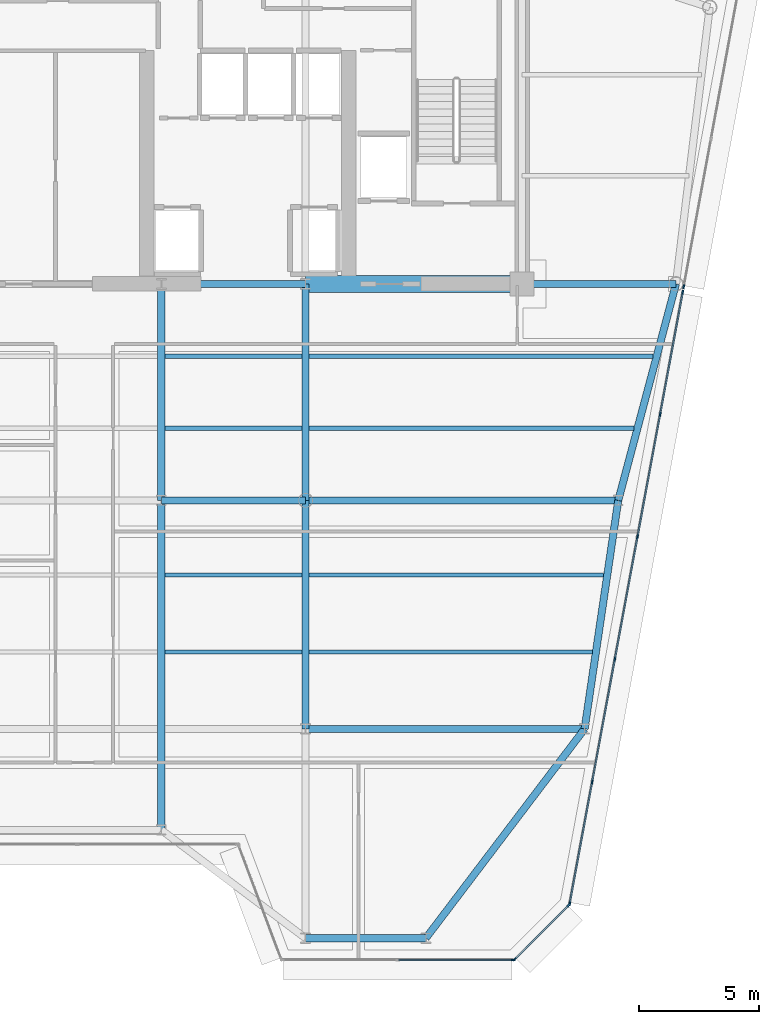
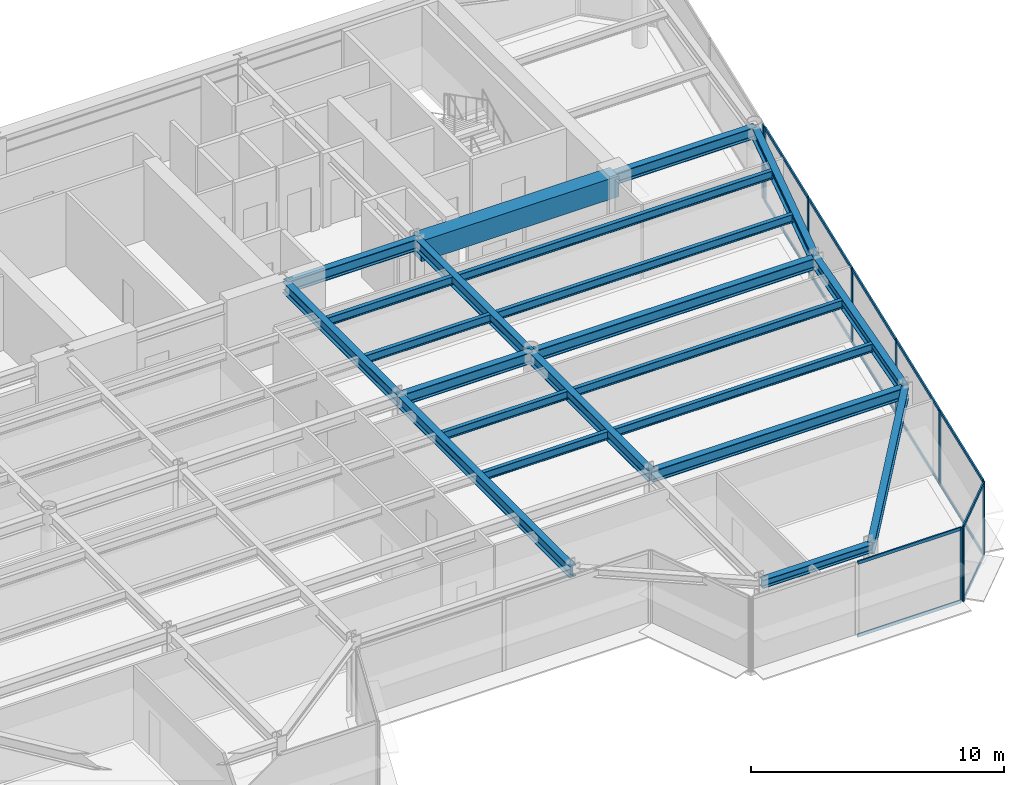
# One storey, part 6 of 17: 24 members, 22 beams, 4 elements without a shape of their own.
"""IFC4 building model written with IfcOpenShell, lengths in metres."""

from ifc_helpers import new_model, si_unit, direction, frame, origin, origin_2d, place, context, subcontext, project, spatial, rectangle, i_section, extrude, source, transform, mapped, material, layer, layer_set, material_profile, profile_set, type_object, element, aggregate, save


model = new_model("IFC4")

# Units and contexts
model_context = context("Model", 3, precision=1e-05, world=origin(), true_north=direction((0.0, 1.0)))
body_context = subcontext(model_context, "Body", "Model", "MODEL_VIEW")
ifc_project = project(units=[si_unit("LENGTHUNIT", "METRE"), si_unit("AREAUNIT", "SQUARE_METRE"), si_unit("VOLUMEUNIT", "CUBIC_METRE"), si_unit("PLANEANGLEUNIT", "RADIAN"), si_unit("MASSUNIT", "GRAM", prefix="KILO")], contexts=[model_context])

# Site, building, storey
site_placement = place(None, origin())
site = spatial("IfcSite", under=ifc_project, at=site_placement, CompositionType="ELEMENT")
building_placement = place(site_placement, origin())
building = spatial("IfcBuilding", under=site, at=building_placement, Name="Vaeldorn Concourse Tower", CompositionType="ELEMENT")
storey_placement = place(building_placement, frame((0.0, 0.0, 230.800048828125)))
storey = spatial("IfcBuildingStorey", under=building, at=storey_placement, Name="L59", CompositionType="ELEMENT", Elevation=230.800048828125)

# Beams
ifc_material_1 = material(Name="Concrete C50/60", Category="concrete")
ifc_material_profile_1 = material_profile(ifc_material_1, rectangle(XDim=0.699951171875, YDim=1.0, at=origin_2d()), Name="RC 700x1000")
ifc_profile_set_1 = profile_set([ifc_material_profile_1], Name="Concrete C50/60")
beam_type_1 = type_object("IfcBeamType", Name="BM-CB-RC700", PredefinedType="BEAM", material=ifc_profile_set_1)
shared_shape_1 = source(origin(), body_context, "Body", "SweptSolid", [
    extrude(rectangle(XDim=0.699951171875, YDim=1.0, at=origin_2d()), origin(), (0.0, 0.0, 1.0), 9.0),
])
beam_1_placement = place(storey_placement, frame((45.0, 36.5, 3.079833984375), z_axis=(1.0, 0.0, 0.0), x_axis=(0.0, 1.0, 0.0)))
element("IfcBeam", 1, at=beam_1_placement, inside=storey, type_object=beam_type_1, Name="Core Coupling Beam L59-2", PredefinedType="BEAM", context=body_context, shape_type="MappedRepresentation", body=[
    mapped(shared_shape_1, transform((0.0, 0.0, 0.0), scale=1.0)),
])
ifc_material_2 = material(Name="Steel S355", Category="steel")
ifc_material_profile_2 = material_profile(ifc_material_2, i_section(OverallWidth=0.300048828125, OverallDepth=0.39990234375, WebThickness=0.013427734375, FlangeThickness=0.02392578125, FilletRadius=0.027099609375, at=origin_2d()), Name="HEB 400")
ifc_profile_set_2 = profile_set([ifc_material_profile_2], Name="Steel S355")
beam_type_2 = type_object("IfcBeamType", Name="BM-SP-HEB400", PredefinedType="SPANDREL", material=ifc_profile_set_2)
shared_shape_2 = source(origin(), body_context, "Body", "SweptSolid", [
    extrude(i_section(OverallWidth=0.300048828125, OverallDepth=0.39990234375, WebThickness=0.013427734375, FlangeThickness=0.02392578125, FilletRadius=0.027099609375, at=origin_2d()), origin(), (0.0, 0.0, 1.0), 5.0),
])
beam_2_placement = place(storey_placement, frame((45.0, 9.300048828125, 3.3798828125), z_axis=(1.0, 0.0, 0.0), x_axis=(0.0, 1.0, 0.0)))
element("IfcBeam", 2, at=beam_2_placement, inside=storey, type_object=beam_type_2, Name="Beam BM-L59-C-SF5-C-SF6", PredefinedType="SPANDREL", context=body_context, shape_type="MappedRepresentation", body=[
    mapped(shared_shape_2, transform((0.0, 0.0, 0.0), scale=1.0)),
])
ifc_material_profile_3 = material_profile(ifc_material_2, i_section(OverallWidth=0.179931640625, OverallDepth=0.39990234375, WebThickness=0.008544921875, FlangeThickness=0.013427734375, FilletRadius=0.02099609375, at=origin_2d()), Name="IPE 400")
ifc_profile_set_3 = profile_set([ifc_material_profile_3], Name="Steel S355")
beam_type_3 = type_object("IfcBeamType", Name="BM-JS-IPE400", PredefinedType="JOIST", material=ifc_profile_set_3)
shared_shape_3 = source(origin(), body_context, "Body", "SweptSolid", [
    extrude(i_section(OverallWidth=0.179931640625, OverallDepth=0.39990234375, WebThickness=0.008544921875, FlangeThickness=0.013427734375, FilletRadius=0.02099609375, at=origin_2d()), origin(), (0.0, 0.0, 1.0), 5.7001953125),
])
for number, where, z_axis, x_axis, name in (
    (3, (39.14990234375, 21.199951171875, 3.3798828125), (1.0, 0.0, 0.0), (0.0, 1.0, 0.0), "Beam JS-L59-E2-212"),
    (4, (39.14990234375, 24.39990234375, 3.3798828125), (1.0, 0.0, 0.0), (0.0, 1.0, 0.0), "Beam JS-L59-E2-244"),
    (5, (39.14990234375, 30.5, 3.3798828125), (1.0, 0.0, 0.0), (0.0, 1.0, 0.0), "Beam JS-L59-E2-305"),
    (6, (39.14990234375, 33.5, 3.3798828125), (1.0, 0.0, 0.0), (0.0, 1.0, 0.0), "Beam JS-L59-E2-335"),
):
    element("IfcBeam", number, at=place(storey_placement, frame(where, z_axis=z_axis, x_axis=x_axis)), inside=storey, type_object=beam_type_3, Name=name, PredefinedType="JOIST", context=body_context, shape_type="MappedRepresentation", body=[
        mapped(shared_shape_3, transform((0.0, 0.0, 0.0), scale=1.0)),
    ])
shared_shape_4 = source(origin(), body_context, "Body", "SweptSolid", [
    extrude(i_section(OverallWidth=0.179931640625, OverallDepth=0.39990234375, WebThickness=0.008544921875, FlangeThickness=0.013427734375, FilletRadius=0.02099609375, at=origin_2d()), origin(), (0.0, 0.0, 1.0), 11.771728515625),
])
beam_3_placement = place(storey_placement, frame((45.14990234375, 21.199951171875, 3.3798828125), z_axis=(1.0, 0.0, 0.0), x_axis=(0.0, 1.0, 0.0)))
element("IfcBeam", 7, at=beam_3_placement, inside=storey, type_object=beam_type_3, Name="Beam JS-L59-E1-212", PredefinedType="JOIST", context=body_context, shape_type="MappedRepresentation", body=[
    mapped(shared_shape_4, transform((0.0, 0.0, 0.0), scale=1.0)),
])
shared_shape_5 = source(origin(), body_context, "Body", "SweptSolid", [
    extrude(i_section(OverallWidth=0.179931640625, OverallDepth=0.39990234375, WebThickness=0.008544921875, FlangeThickness=0.013427734375, FilletRadius=0.02099609375, at=origin_2d()), origin(), (0.0, 0.0, 1.0), 12.243408203125),
])
beam_4_placement = place(storey_placement, frame((45.14990234375, 24.39990234375, 3.3798828125), z_axis=(1.0, 0.0, 0.0), x_axis=(0.0, 1.0, 0.0)))
element("IfcBeam", 8, at=beam_4_placement, inside=storey, type_object=beam_type_3, Name="Beam JS-L59-E1-244", PredefinedType="JOIST", context=body_context, shape_type="MappedRepresentation", body=[
    mapped(shared_shape_5, transform((0.0, 0.0, 0.0), scale=1.0)),
])
shared_shape_6 = source(origin(), body_context, "Body", "SweptSolid", [
    extrude(i_section(OverallWidth=0.179931640625, OverallDepth=0.39990234375, WebThickness=0.008544921875, FlangeThickness=0.013427734375, FilletRadius=0.02099609375, at=origin_2d()), origin(), (0.0, 0.0, 1.0), 13.5),
])
beam_5_placement = place(storey_placement, frame((45.14990234375, 30.5, 3.3798828125), z_axis=(1.0, 0.0, 0.0), x_axis=(0.0, 1.0, 0.0)))
element("IfcBeam", 9, at=beam_5_placement, inside=storey, type_object=beam_type_3, Name="Beam JS-L59-E1-305", PredefinedType="JOIST", context=body_context, shape_type="MappedRepresentation", body=[
    mapped(shared_shape_6, transform((0.0, 0.0, 0.0), scale=1.0)),
])
shared_shape_7 = source(origin(), body_context, "Body", "SweptSolid", [
    extrude(i_section(OverallWidth=0.179931640625, OverallDepth=0.39990234375, WebThickness=0.008544921875, FlangeThickness=0.013427734375, FilletRadius=0.02099609375, at=origin_2d()), origin(), (0.0, 0.0, 1.0), 14.300048828125),
])
beam_6_placement = place(storey_placement, frame((45.14990234375, 33.5, 3.3798828125), z_axis=(1.0, 0.0, 0.0), x_axis=(0.0, 1.0, 0.0)))
element("IfcBeam", 10, at=beam_6_placement, inside=storey, type_object=beam_type_3, Name="Beam JS-L59-E1-335", PredefinedType="JOIST", context=body_context, shape_type="MappedRepresentation", body=[
    mapped(shared_shape_7, transform((0.0, 0.0, 0.0), scale=1.0)),
])
ifc_material_profile_4 = material_profile(ifc_material_2, i_section(OverallWidth=0.300048828125, OverallDepth=0.550048828125, WebThickness=0.014892578125, FlangeThickness=0.029052734375, FilletRadius=0.027099609375, at=origin_2d()), Name="HEB 550")
ifc_profile_set_4 = profile_set([ifc_material_profile_4], Name="Steel S355")
beam_type_4 = type_object("IfcBeamType", Name="BM-PG-HEB550", PredefinedType="BEAM", material=ifc_profile_set_4)
shared_shape_8 = source(origin(), body_context, "Body", "SweptSolid", [
    extrude(i_section(OverallWidth=0.300048828125, OverallDepth=0.550048828125, WebThickness=0.014892578125, FlangeThickness=0.029052734375, FilletRadius=0.027099609375, at=origin_2d()), origin(), (0.0, 0.0, 1.0), 6.0),
])
for number, where, z_axis, x_axis, name in (
    (11, (39.0, 36.5, 3.304931640625), (1.0, 0.0, 0.0), (0.0, 1.0, 0.0), "Beam BM-L59-C-FC4-C-FC5"),
    (12, (39.0, 27.5, 3.304931640625), (1.0, 0.0, 0.0), (0.0, 1.0, 0.0), "Beam BM-L59-C-TW3-C-TW4"),
):
    element("IfcBeam", number, at=place(storey_placement, frame(where, z_axis=z_axis, x_axis=x_axis)), inside=storey, type_object=beam_type_4, Name=name, PredefinedType="BEAM", context=body_context, shape_type="MappedRepresentation", body=[
        mapped(shared_shape_8, transform((0.0, 0.0, 0.0), scale=1.0)),
    ])
shared_shape_9 = source(origin(), body_context, "Body", "SweptSolid", [
    extrude(i_section(OverallWidth=0.300048828125, OverallDepth=0.550048828125, WebThickness=0.014892578125, FlangeThickness=0.029052734375, FilletRadius=0.027099609375, at=origin_2d()), origin(), (0.0, 0.0, 1.0), 9.0),
])
for number, where, z_axis, x_axis, name in (
    (13, (39.0, 27.5, 3.304931640625), (0.0, 1.0, 0.0), (-1.0, 0.0, 0.0), "Beam BM-L59-C-TW3-C-FC4"),
    (14, (45.0, 27.5, 3.304931640625), (0.0, 1.0, 0.0), (-1.0, 0.0, 0.0), "Beam BM-L59-C-TW4-C-FC5"),
):
    element("IfcBeam", number, at=place(storey_placement, frame(where, z_axis=z_axis, x_axis=x_axis)), inside=storey, type_object=beam_type_4, Name=name, PredefinedType="BEAM", context=body_context, shape_type="MappedRepresentation", body=[
        mapped(shared_shape_9, transform((0.0, 0.0, 0.0), scale=1.0)),
    ])
shared_shape_10 = source(origin(), body_context, "Body", "SweptSolid", [
    extrude(i_section(OverallWidth=0.300048828125, OverallDepth=0.550048828125, WebThickness=0.014892578125, FlangeThickness=0.029052734375, FilletRadius=0.027099609375, at=origin_2d()), origin(), (0.0, 0.0, 1.0), 6.39990234375),
])
beam_7_placement = place(storey_placement, frame((54.0, 36.5, 3.304931640625), z_axis=(1.0, 0.0, 0.0), x_axis=(0.0, 1.0, 0.0)))
element("IfcBeam", 15, at=beam_7_placement, inside=storey, type_object=beam_type_4, Name="Beam BM-L59-C-FC6-C-NE2", PredefinedType="BEAM", context=body_context, shape_type="MappedRepresentation", body=[
    mapped(shared_shape_10, transform((0.0, 0.0, 0.0), scale=1.0)),
])
shared_shape_11 = source(origin(), body_context, "Body", "SweptSolid", [
    extrude(i_section(OverallWidth=0.300048828125, OverallDepth=0.550048828125, WebThickness=0.014892578125, FlangeThickness=0.029052734375, FilletRadius=0.027099609375, at=origin_2d()), origin(), (0.0, 0.0, 1.0), 9.314453125),
])
beam_8_placement = place(storey_placement, frame((60.39990234375, 36.5, 3.304931640625), z_axis=(-0.257652862255, -0.966237549763, 0.0), x_axis=(0.966237549763, -0.257652862255, 0.0)))
element("IfcBeam", 16, at=beam_8_placement, inside=storey, type_object=beam_type_4, Name="Beam BM-L59-C-NE2-C-FLE1", PredefinedType="BEAM", context=body_context, shape_type="MappedRepresentation", body=[
    mapped(shared_shape_11, transform((0.0, 0.0, 0.0), scale=1.0)),
])
shared_shape_12 = source(origin(), body_context, "Body", "SweptSolid", [
    extrude(i_section(OverallWidth=0.300048828125, OverallDepth=0.550048828125, WebThickness=0.014892578125, FlangeThickness=0.029052734375, FilletRadius=0.027099609375, at=origin_2d()), origin(), (0.0, 0.0, 1.0), 13.0),
])
beam_9_placement = place(storey_placement, frame((45.0, 27.5, 3.304931640625), z_axis=(1.0, 0.0, 0.0), x_axis=(0.0, 1.0, 0.0)))
element("IfcBeam", 17, at=beam_9_placement, inside=storey, type_object=beam_type_4, Name="Beam BM-L59-C-TW4-C-FLE1", PredefinedType="BEAM", context=body_context, shape_type="MappedRepresentation", body=[
    mapped(shared_shape_12, transform((0.0, 0.0, 0.0), scale=1.0)),
])
shared_shape_13 = source(origin(), body_context, "Body", "SweptSolid", [
    extrude(i_section(OverallWidth=0.300048828125, OverallDepth=0.550048828125, WebThickness=0.014892578125, FlangeThickness=0.029052734375, FilletRadius=0.027099609375, at=origin_2d()), origin(), (0.0, 0.0, 1.0), 9.6025390625),
])
beam_10_placement = place(storey_placement, frame((58.0, 27.5, 3.304931640625), z_axis=(-0.145783835977, -0.989316467652, 0.0), x_axis=(0.989316467652, -0.145783835977, 0.0)))
element("IfcBeam", 18, at=beam_10_placement, inside=storey, type_object=beam_type_4, Name="Beam BM-L59-C-FLE1-C-FLE2", PredefinedType="BEAM", context=body_context, shape_type="MappedRepresentation", body=[
    mapped(shared_shape_13, transform((0.0, 0.0, 0.0), scale=1.0)),
])
shared_shape_14 = source(origin(), body_context, "Body", "SweptSolid", [
    extrude(i_section(OverallWidth=0.300048828125, OverallDepth=0.550048828125, WebThickness=0.014892578125, FlangeThickness=0.029052734375, FilletRadius=0.027099609375, at=origin_2d()), origin(), (0.0, 0.0, 1.0), 11.60009765625),
])
beam_11_placement = place(storey_placement, frame((45.0, 18.0, 3.304931640625), z_axis=(1.0, 0.0, 0.0), x_axis=(0.0, 1.0, 0.0)))
element("IfcBeam", 19, at=beam_11_placement, inside=storey, type_object=beam_type_4, Name="Beam BM-L59-C-TW6-C-FLE2", PredefinedType="BEAM", context=body_context, shape_type="MappedRepresentation", body=[
    mapped(shared_shape_14, transform((0.0, 0.0, 0.0), scale=1.0)),
])
shared_shape_15 = source(origin(), body_context, "Body", "SweptSolid", [
    extrude(i_section(OverallWidth=0.300048828125, OverallDepth=0.550048828125, WebThickness=0.014892578125, FlangeThickness=0.029052734375, FilletRadius=0.027099609375, at=origin_2d()), origin(), (0.0, 0.0, 1.0), 9.5),
])
beam_12_placement = place(storey_placement, frame((45.0, 18.0, 3.304931640625), z_axis=(0.0, 1.0, 0.0), x_axis=(-1.0, 0.0, 0.0)))
element("IfcBeam", 20, at=beam_12_placement, inside=storey, type_object=beam_type_4, Name="Beam BM-L59-C-TW6-C-TW4", PredefinedType="BEAM", context=body_context, shape_type="MappedRepresentation", body=[
    mapped(shared_shape_15, transform((0.0, 0.0, 0.0), scale=1.0)),
])
shared_shape_16 = source(origin(), body_context, "Body", "SweptSolid", [
    extrude(i_section(OverallWidth=0.300048828125, OverallDepth=0.550048828125, WebThickness=0.014892578125, FlangeThickness=0.029052734375, FilletRadius=0.027099609375, at=origin_2d()), origin(), (0.0, 0.0, 1.0), 10.920166015625),
])
beam_13_placement = place(storey_placement, frame((50.0, 9.300048828125, 3.304931640625), z_axis=(0.604394310451, 0.796685331542, 0.0), x_axis=(-0.796685331542, 0.604394310451, 0.0)))
element("IfcBeam", 21, at=beam_13_placement, inside=storey, type_object=beam_type_4, Name="Beam BM-L59-C-SF6-C-FLE2", PredefinedType="BEAM", context=body_context, shape_type="MappedRepresentation", body=[
    mapped(shared_shape_16, transform((0.0, 0.0, 0.0), scale=1.0)),
])
shared_shape_17 = source(origin(), body_context, "Body", "SweptSolid", [
    extrude(i_section(OverallWidth=0.300048828125, OverallDepth=0.550048828125, WebThickness=0.014892578125, FlangeThickness=0.029052734375, FilletRadius=0.027099609375, at=origin_2d()), origin(), (0.0, 0.0, 1.0), 13.699951171875),
])
beam_14_placement = place(storey_placement, frame((39.0, 13.800048828125, 3.304931640625), z_axis=(0.0, 1.0, 0.0), x_axis=(-1.0, 0.0, 0.0)))
element("IfcBeam", 22, at=beam_14_placement, inside=storey, type_object=beam_type_4, Name="Beam BM-L59-C-SF4-C-TW3", PredefinedType="BEAM", context=body_context, shape_type="MappedRepresentation", body=[
    mapped(shared_shape_17, transform((0.0, 0.0, 0.0), scale=1.0)),
])

# Curtain wall, member
ifc_material_3 = material(Name="Anodised Bronze Aluminium", Category="aluminium")
ifc_layer = layer(ifc_material_3, 0.179931640625)
ifc_layer_set = layer_set([ifc_layer], Name="Anodised Bronze Aluminium")
curtain_wall_type = type_object("IfcCurtainWallType", Name="CW-SYS-05", PredefinedType="NOTDEFINED", material=ifc_layer_set)
curtain_wall_1_placement = place(storey_placement, origin())
curtain_wall_1 = element("IfcCurtainWall", 23, at=curtain_wall_1_placement, inside=storey, type_object=curtain_wall_type, Name="Unitised Curtain Wall CW-L59-E05-1", PredefinedType="NOTDEFINED")
ifc_material_profile_5 = material_profile(ifc_material_3, rectangle(XDim=0.06494140625, YDim=0.169921875, at=origin_2d()), Name="CWM 65x170")
ifc_profile_set_5 = profile_set([ifc_material_profile_5], Name="Anodised Bronze Aluminium")
member_type_1 = type_object("IfcMemberType", Name="CWM-BRONZE-170", PredefinedType="MULLION", material=ifc_profile_set_5)
shared_shape_18 = source(origin(), body_context, "Body", "SweptSolid", [
    extrude(rectangle(XDim=0.06494140625, YDim=0.169921875, at=origin_2d()), origin(), (0.0, 0.0, 1.0), 3.579833984375),
])
member_1_placement = place(storey_placement, frame((53.638427734375, 8.39990234375, 0.0), z_axis=(0.0, 0.0, 1.0), x_axis=(0.0, 1.0, 0.0)))
member_1 = element("IfcMember", 24, at=member_1_placement, type_object=member_type_1, Name="CW-05 mullion 3", PredefinedType="MULLION", context=body_context, shape_type="MappedRepresentation", body=[
    mapped(shared_shape_18, transform((0.0, 0.0, 0.0), scale=1.0)),
])

# Curtain wall, members
curtain_wall_2_placement = place(storey_placement, origin())
curtain_wall_2 = element("IfcCurtainWall", 25, at=curtain_wall_2_placement, inside=storey, type_object=curtain_wall_type, Name="Unitised Curtain Wall CW-L59-E06-1", PredefinedType="NOTDEFINED")
member_2_placement = place(storey_placement, frame((53.694091796875, 8.423095703125, 0.0), z_axis=(0.0, 0.0, 1.0), x_axis=(-0.707106781187, 0.707106781187, 0.0)))
member_2 = element("IfcMember", 26, at=member_2_placement, type_object=member_type_1, Name="CW-05 mullion 1", PredefinedType="MULLION", context=body_context, shape_type="MappedRepresentation", body=[
    mapped(shared_shape_18, transform((0.0, 0.0, 0.0), scale=1.0)),
])
member_3_placement = place(storey_placement, frame((55.947998046875, 10.677001953125, 0.0), z_axis=(0.0, 0.0, 1.0), x_axis=(-0.707106781187, 0.707106781187, 0.0)))
member_3 = element("IfcMember", 27, at=member_3_placement, type_object=member_type_1, Name="CW-05 mullion 2", PredefinedType="MULLION", context=body_context, shape_type="MappedRepresentation", body=[
    mapped(shared_shape_18, transform((0.0, 0.0, 0.0), scale=1.0)),
])

curtain_wall_3_placement = place(storey_placement, origin())
curtain_wall_3 = element("IfcCurtainWall", 28, at=curtain_wall_3_placement, inside=storey, type_object=curtain_wall_type, Name="Unitised Curtain Wall CW-L59-E07-1", PredefinedType="NOTDEFINED")
member_4_placement = place(storey_placement, frame((55.976806640625, 10.73193359375, 0.0), z_axis=(0.0, 0.0, 1.0), x_axis=(-0.98331890588, 0.181889882456, 0.0)))
member_4 = element("IfcMember", 29, at=member_4_placement, type_object=member_type_1, Name="CW-05 mullion 1", PredefinedType="MULLION", context=body_context, shape_type="MappedRepresentation", body=[
    mapped(shared_shape_18, transform((0.0, 0.0, 0.0), scale=1.0)),
])
member_5_placement = place(storey_placement, frame((56.913818359375, 15.797119140625, 0.0), z_axis=(0.0, 0.0, 1.0), x_axis=(-0.98331890588, 0.181889882456, 0.0)))
member_5 = element("IfcMember", 30, at=member_5_placement, type_object=member_type_1, Name="CW-05 mullion 2", PredefinedType="MULLION", context=body_context, shape_type="MappedRepresentation", body=[
    mapped(shared_shape_18, transform((0.0, 0.0, 0.0), scale=1.0)),
])
member_6_placement = place(storey_placement, frame((57.856689453125, 20.89404296875, 0.0), z_axis=(0.0, 0.0, 1.0), x_axis=(-0.98331890588, 0.181889882456, 0.0)))
member_6 = element("IfcMember", 31, at=member_6_placement, type_object=member_type_1, Name="CW-05 mullion 3", PredefinedType="MULLION", context=body_context, shape_type="MappedRepresentation", body=[
    mapped(shared_shape_18, transform((0.0, 0.0, 0.0), scale=1.0)),
])
member_7_placement = place(storey_placement, frame((58.799560546875, 25.990966796875, 0.0), z_axis=(0.0, 0.0, 1.0), x_axis=(-0.98331890588, 0.181889882456, 0.0)))
member_7 = element("IfcMember", 32, at=member_7_placement, type_object=member_type_1, Name="CW-05 mullion 4", PredefinedType="MULLION", context=body_context, shape_type="MappedRepresentation", body=[
    mapped(shared_shape_18, transform((0.0, 0.0, 0.0), scale=1.0)),
])
member_8_placement = place(storey_placement, frame((59.7421875, 31.087890625, 0.0), z_axis=(0.0, 0.0, 1.0), x_axis=(-0.98331890588, 0.181889882456, 0.0)))
member_8 = element("IfcMember", 33, at=member_8_placement, type_object=member_type_1, Name="CW-05 mullion 5", PredefinedType="MULLION", context=body_context, shape_type="MappedRepresentation", body=[
    mapped(shared_shape_18, transform((0.0, 0.0, 0.0), scale=1.0)),
])
member_9_placement = place(storey_placement, frame((60.67919921875, 36.153076171875, 0.0), z_axis=(0.0, 0.0, 1.0), x_axis=(-0.98331890588, 0.181889882456, 0.0)))
member_9 = element("IfcMember", 34, at=member_9_placement, type_object=member_type_1, Name="CW-05 mullion 6", PredefinedType="MULLION", context=body_context, shape_type="MappedRepresentation", body=[
    mapped(shared_shape_18, transform((0.0, 0.0, 0.0), scale=1.0)),
])

# Curtain wall, member
curtain_wall_4_placement = place(storey_placement, origin())
curtain_wall_4 = element("IfcCurtainWall", 35, at=curtain_wall_4_placement, inside=storey, type_object=curtain_wall_type, Name="Unitised Curtain Wall CW-L59-E07-2", PredefinedType="NOTDEFINED")
member_10_placement = place(storey_placement, frame((60.720947265625, 36.37890625, 0.0), z_axis=(0.0, 0.0, 1.0), x_axis=(-0.983319198447, 0.181888300792, 0.0)))
member_10 = element("IfcMember", 36, at=member_10_placement, type_object=member_type_1, Name="CW-05 mullion 1", PredefinedType="MULLION", context=body_context, shape_type="MappedRepresentation", body=[
    mapped(shared_shape_18, transform((0.0, 0.0, 0.0), scale=1.0)),
])
aggregate(curtain_wall_4, [member_10])

# Member
ifc_material_profile_6 = material_profile(ifc_material_3, rectangle(XDim=0.06494140625, YDim=0.14990234375, at=origin_2d()), Name="CWT 65x150")
ifc_profile_set_6 = profile_set([ifc_material_profile_6], Name="Anodised Bronze Aluminium")
member_type_2 = type_object("IfcMemberType", Name="CWT-BRONZE-150", PredefinedType="USERDEFINED", material=ifc_profile_set_6)
shared_shape_19 = source(origin(), body_context, "Body", "SweptSolid", [
    extrude(rectangle(XDim=0.06494140625, YDim=0.14990234375, at=origin_2d()), origin(), (0.0, 0.0, 1.0), 3.12255859375),
])
member_11_placement = place(storey_placement, frame((53.717041015625, 8.446044921875, 0.032470703125), z_axis=(0.707106781187, 0.707106781187, 0.0), x_axis=(-0.707106781187, 0.707106781187, 0.0)))
member_11 = element("IfcMember", 37, at=member_11_placement, type_object=member_type_2, Name="CW-05 transom 1.1", ObjectType="TRANSOM", PredefinedType="USERDEFINED", context=body_context, shape_type="MappedRepresentation", body=[
    mapped(shared_shape_19, transform((0.0, 0.0, 0.0), scale=1.0)),
])

member_12_placement = place(storey_placement, frame((53.717041015625, 8.446044921875, 3.54736328125), z_axis=(0.707106781187, 0.707106781187, 0.0), x_axis=(-0.707106781187, 0.707106781187, 0.0)))
member_12 = element("IfcMember", 38, at=member_12_placement, type_object=member_type_2, Name="CW-05 transom 1.2", ObjectType="TRANSOM", PredefinedType="USERDEFINED", context=body_context, shape_type="MappedRepresentation", body=[
    mapped(shared_shape_19, transform((0.0, 0.0, 0.0), scale=1.0)),
])

aggregate(curtain_wall_2, [member_2, member_3, member_11, member_12])

shared_shape_20 = source(origin(), body_context, "Body", "SweptSolid", [
    extrude(rectangle(XDim=0.06494140625, YDim=0.14990234375, at=origin_2d()), origin(), (0.0, 0.0, 1.0), 4.738037109375),
])
member_13_placement = place(storey_placement, frame((48.867919921875, 8.39990234375, 0.032470703125), z_axis=(1.0, 0.0, 0.0), x_axis=(0.0, 1.0, 0.0)))
member_13 = element("IfcMember", 39, at=member_13_placement, type_object=member_type_2, Name="CW-05 transom 2.1", ObjectType="TRANSOM", PredefinedType="USERDEFINED", context=body_context, shape_type="MappedRepresentation", body=[
    mapped(shared_shape_20, transform((0.0, 0.0, 0.0), scale=1.0)),
])

member_14_placement = place(storey_placement, frame((48.867919921875, 8.39990234375, 3.54736328125), z_axis=(1.0, 0.0, 0.0), x_axis=(0.0, 1.0, 0.0)))
member_14 = element("IfcMember", 40, at=member_14_placement, type_object=member_type_2, Name="CW-05 transom 2.2", ObjectType="TRANSOM", PredefinedType="USERDEFINED", context=body_context, shape_type="MappedRepresentation", body=[
    mapped(shared_shape_20, transform((0.0, 0.0, 0.0), scale=1.0)),
])

aggregate(curtain_wall_1, [member_1, member_13, member_14])

shared_shape_21 = source(origin(), body_context, "Body", "SweptSolid", [
    extrude(rectangle(XDim=0.06494140625, YDim=0.14990234375, at=origin_2d()), origin(), (0.0, 0.0, 1.0), 5.0859375),
])
member_15_placement = place(storey_placement, frame((55.98291015625, 10.763916015625, 0.032470703125), z_axis=(0.181879549724, 0.983320817125, 0.0), x_axis=(-0.983320817125, 0.181879549724, 0.0)))
member_15 = element("IfcMember", 41, at=member_15_placement, type_object=member_type_2, Name="CW-05 transom 1.1", ObjectType="TRANSOM", PredefinedType="USERDEFINED", context=body_context, shape_type="MappedRepresentation", body=[
    mapped(shared_shape_21, transform((0.0, 0.0, 0.0), scale=1.0)),
])

member_16_placement = place(storey_placement, frame((55.98291015625, 10.763916015625, 3.54736328125), z_axis=(0.181879549724, 0.983320817125, 0.0), x_axis=(-0.983320817125, 0.181879549724, 0.0)))
member_16 = element("IfcMember", 42, at=member_16_placement, type_object=member_type_2, Name="CW-05 transom 1.2", ObjectType="TRANSOM", PredefinedType="USERDEFINED", context=body_context, shape_type="MappedRepresentation", body=[
    mapped(shared_shape_21, transform((0.0, 0.0, 0.0), scale=1.0)),
])

member_17_placement = place(storey_placement, frame((59.748291015625, 31.119873046875, 0.032470703125), z_axis=(0.181879549724, 0.983320817125, 0.0), x_axis=(-0.983320817125, 0.181879549724, 0.0)))
member_17 = element("IfcMember", 43, at=member_17_placement, type_object=member_type_2, Name="CW-05 transom 5.1", ObjectType="TRANSOM", PredefinedType="USERDEFINED", context=body_context, shape_type="MappedRepresentation", body=[
    mapped(shared_shape_21, transform((0.0, 0.0, 0.0), scale=1.0)),
])

member_18_placement = place(storey_placement, frame((59.748291015625, 31.119873046875, 3.54736328125), z_axis=(0.181879549724, 0.983320817125, 0.0), x_axis=(-0.983320817125, 0.181879549724, 0.0)))
member_18 = element("IfcMember", 44, at=member_18_placement, type_object=member_type_2, Name="CW-05 transom 5.2", ObjectType="TRANSOM", PredefinedType="USERDEFINED", context=body_context, shape_type="MappedRepresentation", body=[
    mapped(shared_shape_21, transform((0.0, 0.0, 0.0), scale=1.0)),
])

shared_shape_22 = source(origin(), body_context, "Body", "SweptSolid", [
    extrude(rectangle(XDim=0.06494140625, YDim=0.14990234375, at=origin_2d()), origin(), (0.0, 0.0, 1.0), 5.11865234375),
])
member_19_placement = place(storey_placement, frame((56.919677734375, 15.828857421875, 0.032470703125), z_axis=(0.181915044341, 0.983314251215, 0.0), x_axis=(-0.983314251215, 0.181915044341, 0.0)))
member_19 = element("IfcMember", 45, at=member_19_placement, type_object=member_type_2, Name="CW-05 transom 2.1", ObjectType="TRANSOM", PredefinedType="USERDEFINED", context=body_context, shape_type="MappedRepresentation", body=[
    mapped(shared_shape_22, transform((0.0, 0.0, 0.0), scale=1.0)),
])

member_20_placement = place(storey_placement, frame((56.919677734375, 15.828857421875, 3.54736328125), z_axis=(0.181915044341, 0.983314251215, 0.0), x_axis=(-0.983314251215, 0.181915044341, 0.0)))
member_20 = element("IfcMember", 46, at=member_20_placement, type_object=member_type_2, Name="CW-05 transom 2.2", ObjectType="TRANSOM", PredefinedType="USERDEFINED", context=body_context, shape_type="MappedRepresentation", body=[
    mapped(shared_shape_22, transform((0.0, 0.0, 0.0), scale=1.0)),
])

member_21_placement = place(storey_placement, frame((58.805419921875, 26.02294921875, 0.032470703125), z_axis=(0.181868925515, 0.983322782169, 0.0), x_axis=(-0.983322782169, 0.181868925515, 0.0)))
member_21 = element("IfcMember", 47, at=member_21_placement, type_object=member_type_2, Name="CW-05 transom 4.1", ObjectType="TRANSOM", PredefinedType="USERDEFINED", context=body_context, shape_type="MappedRepresentation", body=[
    mapped(shared_shape_22, transform((0.0, 0.0, 0.0), scale=1.0)),
])

member_22_placement = place(storey_placement, frame((58.805419921875, 26.02294921875, 3.54736328125), z_axis=(0.181868925515, 0.983322782169, 0.0), x_axis=(-0.983322782169, 0.181868925515, 0.0)))
member_22 = element("IfcMember", 48, at=member_22_placement, type_object=member_type_2, Name="CW-05 transom 4.2", ObjectType="TRANSOM", PredefinedType="USERDEFINED", context=body_context, shape_type="MappedRepresentation", body=[
    mapped(shared_shape_22, transform((0.0, 0.0, 0.0), scale=1.0)),
])

shared_shape_23 = source(origin(), body_context, "Body", "SweptSolid", [
    extrude(rectangle(XDim=0.06494140625, YDim=0.14990234375, at=origin_2d()), origin(), (0.0, 0.0, 1.0), 5.118408203125),
])
member_23_placement = place(storey_placement, frame((57.862548828125, 20.926025390625, 0.032470703125), z_axis=(0.181877455854, 0.983321204415, 0.0), x_axis=(-0.983321204415, 0.181877455854, 0.0)))
member_23 = element("IfcMember", 49, at=member_23_placement, type_object=member_type_2, Name="CW-05 transom 3.1", ObjectType="TRANSOM", PredefinedType="USERDEFINED", context=body_context, shape_type="MappedRepresentation", body=[
    mapped(shared_shape_23, transform((0.0, 0.0, 0.0), scale=1.0)),
])

member_24_placement = place(storey_placement, frame((57.862548828125, 20.926025390625, 3.54736328125), z_axis=(0.181877455854, 0.983321204415, 0.0), x_axis=(-0.983321204415, 0.181877455854, 0.0)))
member_24 = element("IfcMember", 50, at=member_24_placement, type_object=member_type_2, Name="CW-05 transom 3.2", ObjectType="TRANSOM", PredefinedType="USERDEFINED", context=body_context, shape_type="MappedRepresentation", body=[
    mapped(shared_shape_23, transform((0.0, 0.0, 0.0), scale=1.0)),
])

aggregate(curtain_wall_3, [member_4, member_5, member_6, member_7, member_8, member_9, member_15, member_16, member_19, member_20, member_23, member_24, member_21, member_22, member_17, member_18])

save(model, "model.ifc")
